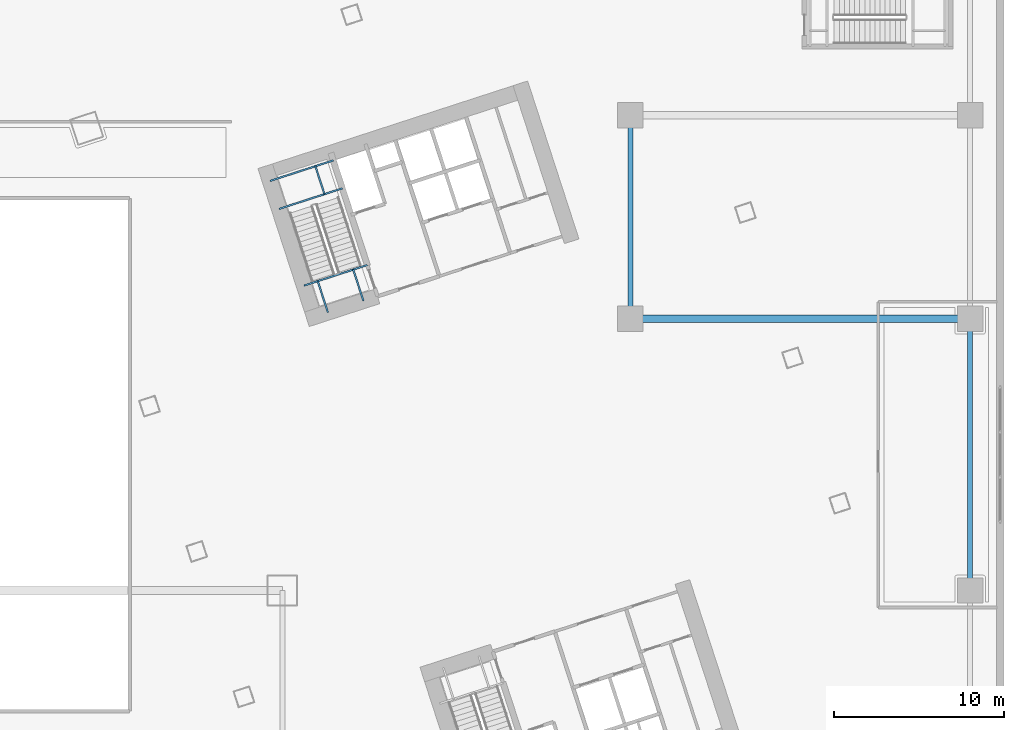
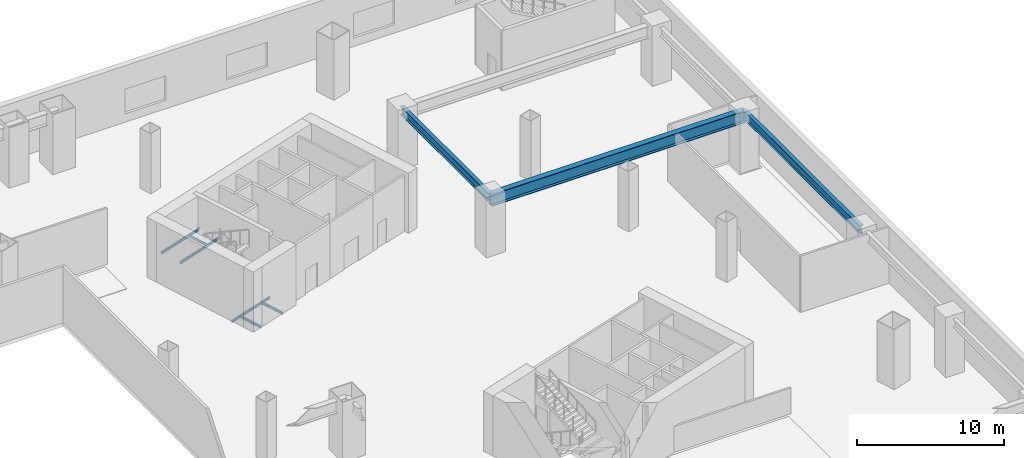
# One storey, part 15 of 35: 9 beams.
"""IFC4 building model written with IfcOpenShell, lengths in metres."""

from ifc_helpers import new_model, si_unit, direction, frame, origin, origin_2d, place, context, subcontext, project, spatial, i_section, extrude, material, material_profile, profile_set, type_object, element, save


model = new_model("IFC4")

# Units and contexts
model_context = context("Model", 3, precision=1e-05, world=origin(), true_north=direction((0.0, 1.0)))
body_context = subcontext(model_context, "Body", "Model", "MODEL_VIEW")
ifc_project = project(units=[si_unit("LENGTHUNIT", "METRE"), si_unit("AREAUNIT", "SQUARE_METRE"), si_unit("VOLUMEUNIT", "CUBIC_METRE"), si_unit("PLANEANGLEUNIT", "RADIAN"), si_unit("MASSUNIT", "GRAM", prefix="KILO")], contexts=[model_context])

# Site, building, storey
site_placement = place(None, origin())
site = spatial("IfcSite", under=ifc_project, at=site_placement, CompositionType="ELEMENT")
building_placement = place(site_placement, origin())
building = spatial("IfcBuilding", under=site, at=building_placement, Name="Qiaolan Cultural Towers", CompositionType="ELEMENT")
storey_placement = place(building_placement, frame((0.0, 0.0, 11.5)))
storey = spatial("IfcBuildingStorey", under=building, at=storey_placement, Name="L02", CompositionType="ELEMENT", Elevation=11.5)

# Beams
ifc_material_1 = material(Name="Steel Q390GJB", Category="steel")
ifc_material_profile_1 = material_profile(ifc_material_1, i_section(OverallWidth=0.449951171875, OverallDepth=1.0, WebThickness=0.02392578125, FlangeThickness=0.0400390625, at=origin_2d()), Name="BH1000x450x24x40")
ifc_profile_set_1 = profile_set([ifc_material_profile_1], Name="Steel Q390GJB")
beam_type_1 = type_object("IfcBeamType", Name="BM-BH1000x450x24x40", PredefinedType="BEAM", material=ifc_profile_set_1)
beam_1_placement = place(storey_placement, frame((98.0, 42.0, 4.199951171875), z_axis=(1.0, 0.0, 0.0), x_axis=(0.0, 1.0, 0.0)))
element("IfcBeam", 1, at=beam_1_placement, inside=storey, type_object=beam_type_1, Name="L02 Podium Primary Girder Y=42.0", PredefinedType="BEAM", context=body_context, shape_type="SweptSolid", body=[
    extrude(i_section(OverallWidth=0.449951171875, OverallDepth=1.0, WebThickness=0.02392578125, FlangeThickness=0.0400390625, at=origin_2d()), origin(), (0.0, 0.0, 1.0), 20.0),
])
ifc_material_2 = material(Name="Steel Q355B", Category="steel")
ifc_material_profile_2 = material_profile(ifc_material_2, i_section(OverallWidth=0.300048828125, OverallDepth=0.699951171875, WebThickness=0.012939453125, FlangeThickness=0.02392578125, at=origin_2d()), Name="HN700x300x13x24")
ifc_profile_set_2 = profile_set([ifc_material_profile_2], Name="Steel Q355B")
beam_type_2 = type_object("IfcBeamType", Name="BM-HN700x300x13x24", PredefinedType="BEAM", material=ifc_profile_set_2)
beam_2_placement = place(storey_placement, frame((98.0, 42.0, 4.35009765625), z_axis=(0.0, 1.0, 0.0), x_axis=(-1.0, 0.0, 0.0)))
element("IfcBeam", 2, at=beam_2_placement, inside=storey, type_object=beam_type_2, Name="L02 Podium Transverse Beam X=98.0", PredefinedType="BEAM", context=body_context, shape_type="SweptSolid", body=[
    extrude(i_section(OverallWidth=0.300048828125, OverallDepth=0.699951171875, WebThickness=0.012939453125, FlangeThickness=0.02392578125, at=origin_2d()), origin(), (0.0, 0.0, 1.0), 12.0),
])
beam_3_placement = place(storey_placement, frame((118.0, 26.0, 4.35009765625), z_axis=(0.0, 1.0, 0.0), x_axis=(-1.0, 0.0, 0.0)))
element("IfcBeam", 3, at=beam_3_placement, inside=storey, type_object=beam_type_2, Name="L02 Podium Transverse Beam X=118.0", PredefinedType="BEAM", context=body_context, shape_type="SweptSolid", body=[
    extrude(i_section(OverallWidth=0.300048828125, OverallDepth=0.699951171875, WebThickness=0.012939453125, FlangeThickness=0.02392578125, at=origin_2d()), origin(), (0.0, 0.0, 1.0), 16.0),
])
ifc_material_3 = material(Name="Steel Q355B", Category="steel")
ifc_material_profile_3 = material_profile(ifc_material_3, i_section(OverallWidth=0.10009765625, OverallDepth=0.199951171875, WebThickness=0.005615234375, FlangeThickness=0.008056640625, at=origin_2d()), Name="HN200x100x5.5x8")
ifc_profile_set_3 = profile_set([ifc_material_profile_3], Name="Steel Q355B")
beam_type_3 = type_object("IfcBeamType", Name="BM-STTRIM-200", PredefinedType="BEAM", material=ifc_profile_set_3)
beam_4_placement = place(storey_placement, frame((78.773193359375, 43.958251953125, -0.4599609375), z_axis=(0.951072048947, 0.3089691857, 0.0), x_axis=(-0.3089691857, 0.951072048947, 0.0)))
element("IfcBeam", 4, at=beam_4_placement, inside=storey, type_object=beam_type_3, Name="L02 ST-E2 Floor Landing Header Beam", PredefinedType="BEAM", context=body_context, shape_type="SweptSolid", body=[
    extrude(i_section(OverallWidth=0.10009765625, OverallDepth=0.199951171875, WebThickness=0.005615234375, FlangeThickness=0.008056640625, at=origin_2d()), origin(), (0.0, 0.0, 1.0), 3.920166015625),
])
for number, where, z_axis, x_axis, name in (
    (5, (80.18115234375, 42.375732421875, -0.4599609375), (-0.308969394428, 0.951071981138, 0.0), (-0.951071981138, -0.308969394428, 0.0), "L02 ST-E2 Floor Landing Stringer 1"),
    (6, (82.2734375, 43.0556640625, -0.4599609375), (-0.308969394428, 0.951071981138, 0.0), (-0.951071981138, -0.308969394428, 0.0), "L02 ST-E2 Floor Landing Stringer 2"),
):
    element("IfcBeam", number, at=place(storey_placement, frame(where, z_axis=z_axis, x_axis=x_axis)), inside=storey, type_object=beam_type_3, Name=name, PredefinedType="BEAM", context=body_context, shape_type="SweptSolid", body=[
        extrude(i_section(OverallWidth=0.10009765625, OverallDepth=0.199951171875, WebThickness=0.005615234375, FlangeThickness=0.008056640625, at=origin_2d()), origin(), (0.0, 0.0, 1.0), 1.93994140625),
    ])
beam_5_placement = place(storey_placement, frame((77.305908203125, 48.474365234375, 2.199951171875), z_axis=(0.951047798727, 0.309043823005, 0.0), x_axis=(-0.309043823005, 0.951047798727, 0.0)))
element("IfcBeam", 7, at=beam_5_placement, inside=storey, type_object=beam_type_3, Name="L02 ST-E2 Stair Landing Support Beam 1-1", PredefinedType="BEAM", context=body_context, shape_type="SweptSolid", body=[
    extrude(i_section(OverallWidth=0.10009765625, OverallDepth=0.199951171875, WebThickness=0.005615234375, FlangeThickness=0.008056640625, at=origin_2d()), origin(), (0.0, 0.0, 1.0), 3.919921875),
])
beam_6_placement = place(storey_placement, frame((76.770751953125, 50.12109375, 2.199951171875), z_axis=(0.951072048947, 0.3089691857, 0.0), x_axis=(-0.3089691857, 0.951072048947, 0.0)))
element("IfcBeam", 8, at=beam_6_placement, inside=storey, type_object=beam_type_3, Name="L02 ST-E2 Stair Landing Support Beam 1-2", PredefinedType="BEAM", context=body_context, shape_type="SweptSolid", body=[
    extrude(i_section(OverallWidth=0.10009765625, OverallDepth=0.199951171875, WebThickness=0.005615234375, FlangeThickness=0.008056640625, at=origin_2d()), origin(), (0.0, 0.0, 1.0), 3.920166015625),
])
beam_7_placement = place(storey_placement, frame((79.978271484375, 49.3427734375, 2.199951171875), z_axis=(-0.308984029303, 0.951067226665, 0.0), x_axis=(-0.951067226665, -0.308984029303, 0.0)))
element("IfcBeam", 9, at=beam_7_placement, inside=storey, type_object=beam_type_3, Name="L02 ST-E2 Stair Landing Trimmer 1", PredefinedType="BEAM", context=body_context, shape_type="SweptSolid", body=[
    extrude(i_section(OverallWidth=0.10009765625, OverallDepth=0.199951171875, WebThickness=0.005615234375, FlangeThickness=0.008056640625, at=origin_2d()), origin(), (0.0, 0.0, 1.0), 1.731201171875),
])

save(model, "model.ifc")
